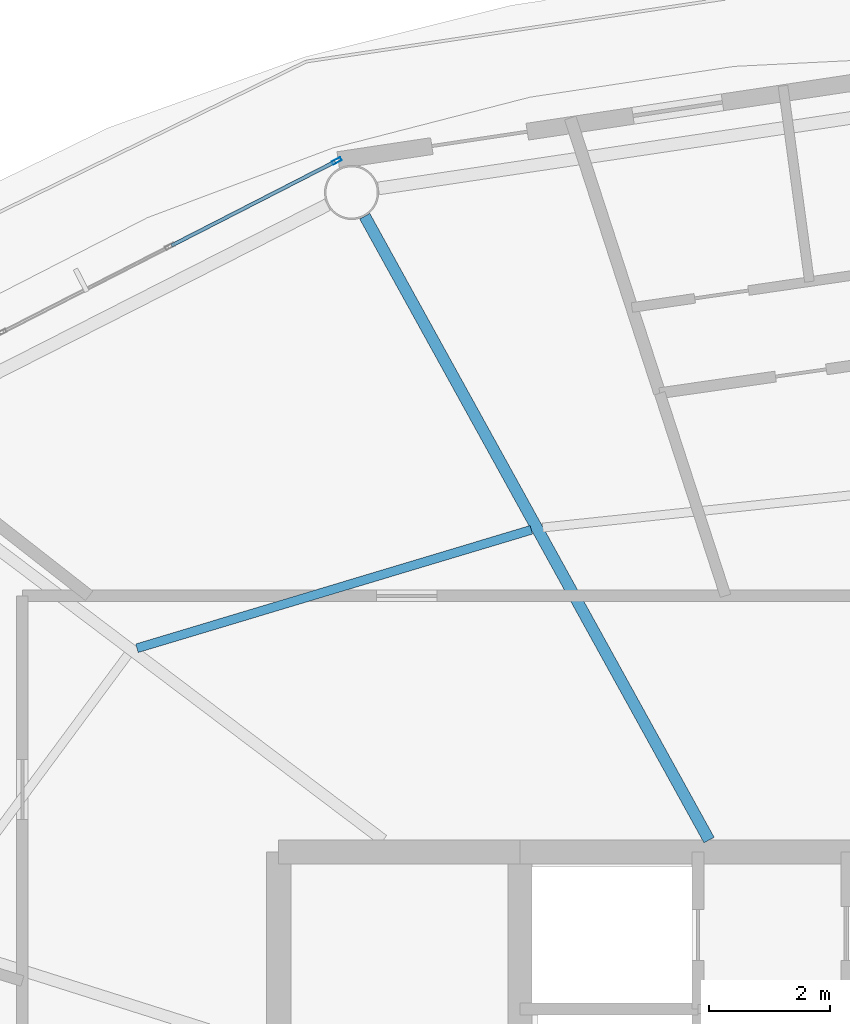
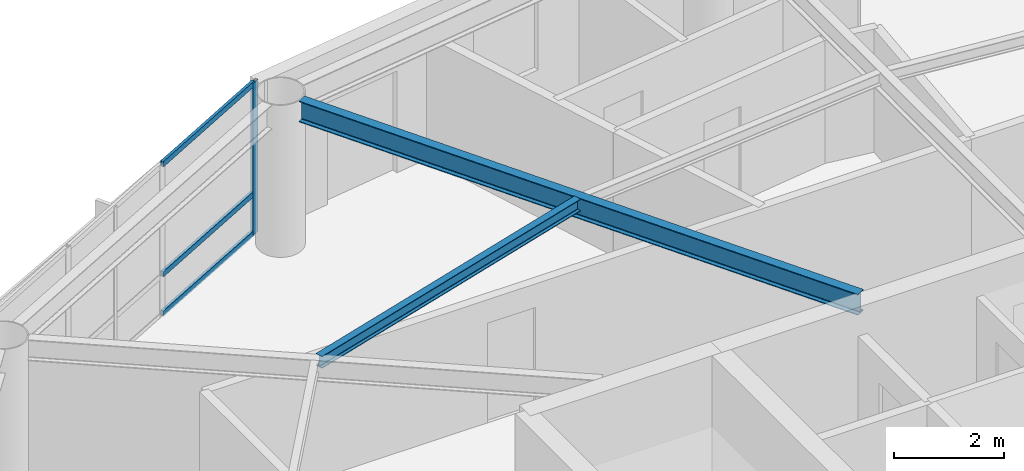
# One storey, part 9 of 23: 4 members, 2 beams, 1 element without a shape of its own.
"""IFC4 building model written with IfcOpenShell, lengths in metres."""

from ifc_helpers import new_model, si_unit, direction, frame, origin, origin_2d, place, context, subcontext, project, spatial, hollow_rectangle, i_section, extrude, material, layer, layer_set, material_profile, profile_set, type_object, element, aggregate, save


model = new_model("IFC4")

# Units and contexts
model_context = context("Model", 3, precision=1e-05, world=origin(), true_north=direction((0.0, 1.0)))
body_context = subcontext(model_context, "Body", "Model", "MODEL_VIEW")
ifc_project = project(units=[si_unit("LENGTHUNIT", "METRE"), si_unit("AREAUNIT", "SQUARE_METRE"), si_unit("VOLUMEUNIT", "CUBIC_METRE"), si_unit("PLANEANGLEUNIT", "RADIAN"), si_unit("MASSUNIT", "GRAM", prefix="KILO")], contexts=[model_context])

# Site, building, storey
site_placement = place(None, origin())
site = spatial("IfcSite", under=ifc_project, at=site_placement, CompositionType="ELEMENT")
building_placement = place(site_placement, origin())
building = spatial("IfcBuilding", under=site, at=building_placement, Name="Sarneth Arch Tower", CompositionType="ELEMENT")
storey_placement = place(building_placement, frame((0.0, 0.0, 217.199951171875)))
storey = spatial("IfcBuildingStorey", under=building, at=storey_placement, Name="L55", CompositionType="ELEMENT", Elevation=217.199951171875)

# Beams
ifc_material_1 = material(Name="Steel S355", Category="steel")
ifc_material_profile_1 = material_profile(ifc_material_1, i_section(OverallWidth=0.14794921875, OverallDepth=0.26611328125, WebThickness=0.007568359375, FlangeThickness=0.012939453125, FilletRadius=0.012939453125, at=origin_2d()), Name="W250x44.8")
ifc_profile_set_1 = profile_set([ifc_material_profile_1], Name="Steel S355")
beam_type_1 = type_object("IfcBeamType", Name="BM-JOIST-250", PredefinedType="JOIST", material=ifc_profile_set_1)
beam_1_placement = place(storey_placement, frame((41.189453125, 54.14453125, 3.22705078125), z_axis=(-0.957725851155, -0.287682453461, 0.0), x_axis=(0.287682453461, -0.957725851155, 0.0)))
element("IfcBeam", 1, at=beam_1_placement, inside=storey, type_object=beam_type_1, Name="L55 Secondary floor joist 06", PredefinedType="JOIST", context=body_context, shape_type="SweptSolid", body=[
    extrude(i_section(OverallWidth=0.14794921875, OverallDepth=0.26611328125, WebThickness=0.007568359375, FlangeThickness=0.012939453125, FilletRadius=0.012939453125, at=origin_2d()), origin(), (0.0, 0.0, 1.0), 6.828125),
])
ifc_material_2 = material(Name="Steel S355", Category="steel")
ifc_material_profile_2 = material_profile(ifc_material_2, i_section(OverallWidth=0.19189453125, OverallDepth=0.462890625, WebThickness=0.010498046875, FlangeThickness=0.017578125, FilletRadius=0.01806640625, at=origin_2d()), Name="W460x89")
ifc_profile_set_2 = profile_set([ifc_material_profile_2], Name="Steel S355")
beam_type_2 = type_object("IfcBeamType", Name="BM-RAD-460B", PredefinedType="BEAM", material=ifc_profile_set_2)
beam_2_placement = place(storey_placement, frame((44.13623046875, 49.0, 3.128662109375), z_axis=(-0.483218265038, 0.875499919094, 0.0), x_axis=(-0.875499919094, -0.483218265038, 0.0)))
element("IfcBeam", 2, at=beam_2_placement, inside=storey, type_object=beam_type_2, Name="L55 Radial floor girder 06", PredefinedType="BEAM", context=body_context, shape_type="SweptSolid", body=[
    extrude(i_section(OverallWidth=0.19189453125, OverallDepth=0.462890625, WebThickness=0.010498046875, FlangeThickness=0.017578125, FilletRadius=0.01806640625, at=origin_2d()), origin(), (0.0, 0.0, 1.0), 11.8154296875),
])

# Curtain wall, members
ifc_material_3 = material(Name="Anodised aluminium Type AA25 and solar-control low-e laminated IGU", Category="aluminium")
ifc_layer = layer(ifc_material_3, 0.179931640625)
ifc_layer_set = layer_set([ifc_layer], Name="Anodised aluminium Type AA25 and solar-control low-e laminated IGU")
curtain_wall_type = type_object("IfcCurtainWallType", Name="CW-RES-HIGH", PredefinedType="NOTDEFINED", material=ifc_layer_set)
curtain_wall_placement = place(storey_placement, origin())
curtain_wall = element("IfcCurtainWall", 3, at=curtain_wall_placement, inside=storey, type_object=curtain_wall_type, Name="L55 Unitised curtain wall facet 06", PredefinedType="NOTDEFINED")
ifc_material_4 = material(Name="Anodised Aluminium 6063-T6", Category="aluminium")
ifc_material_profile_3 = material_profile(ifc_material_4, hollow_rectangle(XDim=0.06005859375, YDim=0.159912109375, WallThickness=0.00390625, at=origin_2d()), Name="AL-MULL-160x60x4")
ifc_profile_set_3 = profile_set([ifc_material_profile_3], Name="Anodised Aluminium 6063-T6")
member_type_1 = type_object("IfcMemberType", Name="CW-MULLION", PredefinedType="MULLION", material=ifc_profile_set_3)
member_1_placement = place(storey_placement, frame((37.960693359375, 60.2607421875, 0.0), z_axis=(0.0, 0.0, 1.0), x_axis=(0.455941901753, -0.890009540525, 0.0)))
member_1 = element("IfcMember", 4, at=member_1_placement, type_object=member_type_1, Name="CW-SYS-6 mullion 1", PredefinedType="MULLION", context=body_context, shape_type="SweptSolid", body=[
    extrude(hollow_rectangle(XDim=0.06005859375, YDim=0.159912109375, WallThickness=0.00390625, at=origin_2d()), origin(), (0.0, 0.0, 1.0), 3.360107421875),
])
ifc_material_5 = material(Name="Anodised Aluminium 6063-T6", Category="aluminium")
ifc_material_profile_4 = material_profile(ifc_material_5, hollow_rectangle(XDim=0.06005859375, YDim=0.1201171875, WallThickness=0.00390625, at=origin_2d()), Name="AL-TRAN-120x60x4")
ifc_profile_set_4 = profile_set([ifc_material_profile_4], Name="Anodised Aluminium 6063-T6")
member_type_2 = type_object("IfcMemberType", Name="CW-TRANSOM", PredefinedType="USERDEFINED", material=ifc_profile_set_4)
member_2_placement = place(storey_placement, frame((37.933837890625, 60.2470703125, 0.030029296875), z_axis=(-0.889973523166, -0.456012201662, 0.0), x_axis=(0.456012201662, -0.889973523166, 0.0)))
member_2 = element("IfcMember", 5, at=member_2_placement, type_object=member_type_2, Name="CW-SYS-6 transom 1.1", ObjectType="TRANSOM", PredefinedType="USERDEFINED", context=body_context, shape_type="SweptSolid", body=[
    extrude(hollow_rectangle(XDim=0.06005859375, YDim=0.1201171875, WallThickness=0.00390625, at=origin_2d()), origin(), (0.0, 0.0, 1.0), 3.044677734375),
])
member_3_placement = place(storey_placement, frame((37.933837890625, 60.2470703125, 0.900146484375), z_axis=(-0.889973523166, -0.456012201662, 0.0), x_axis=(0.456012201662, -0.889973523166, 0.0)))
member_3 = element("IfcMember", 6, at=member_3_placement, type_object=member_type_2, Name="CW-SYS-6 transom 1.2", ObjectType="TRANSOM", PredefinedType="USERDEFINED", context=body_context, shape_type="SweptSolid", body=[
    extrude(hollow_rectangle(XDim=0.06005859375, YDim=0.1201171875, WallThickness=0.00390625, at=origin_2d()), origin(), (0.0, 0.0, 1.0), 3.044677734375),
])
member_4_placement = place(storey_placement, frame((37.933837890625, 60.2470703125, 3.330078125), z_axis=(-0.889973523166, -0.456012201662, 0.0), x_axis=(0.456012201662, -0.889973523166, 0.0)))
member_4 = element("IfcMember", 7, at=member_4_placement, type_object=member_type_2, Name="CW-SYS-6 transom 1.3", ObjectType="TRANSOM", PredefinedType="USERDEFINED", context=body_context, shape_type="SweptSolid", body=[
    extrude(hollow_rectangle(XDim=0.06005859375, YDim=0.1201171875, WallThickness=0.00390625, at=origin_2d()), origin(), (0.0, 0.0, 1.0), 3.044677734375),
])
aggregate(curtain_wall, [member_1, member_2, member_3, member_4])

save(model, "model.ifc")
